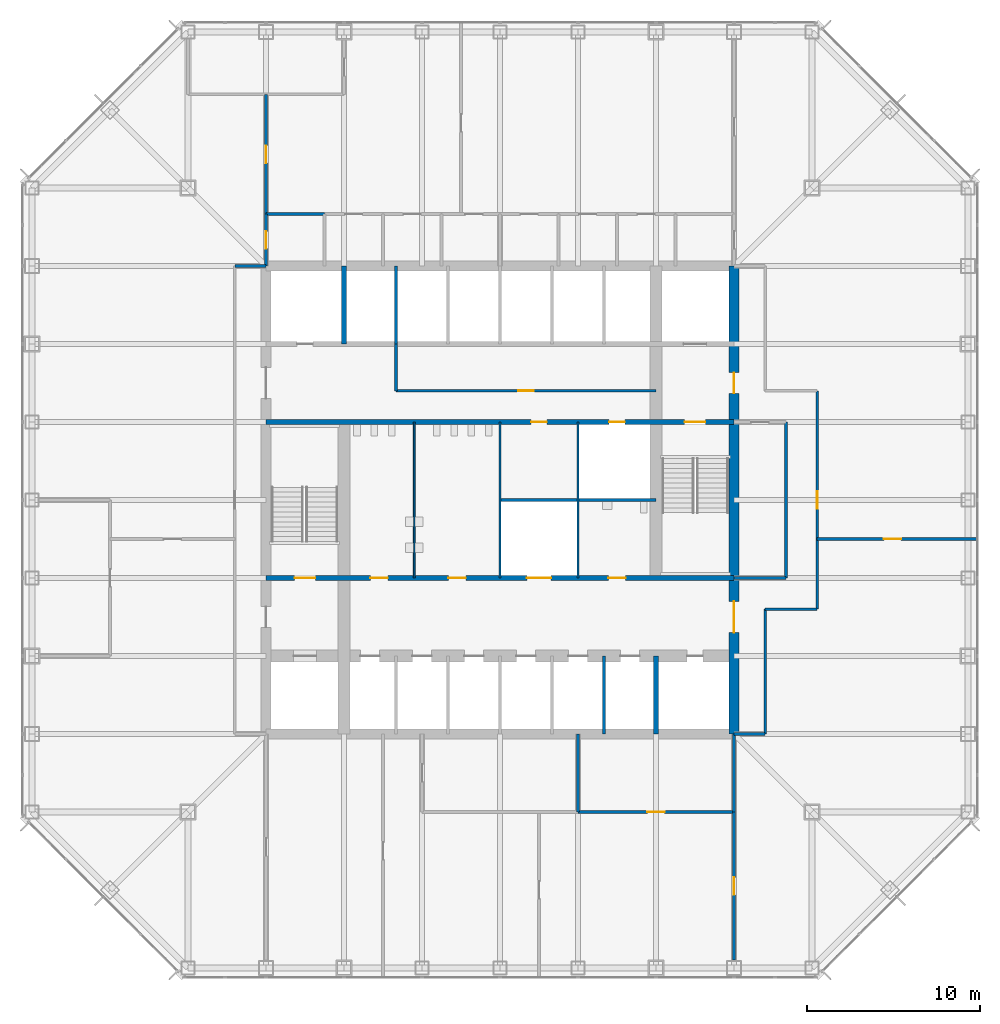
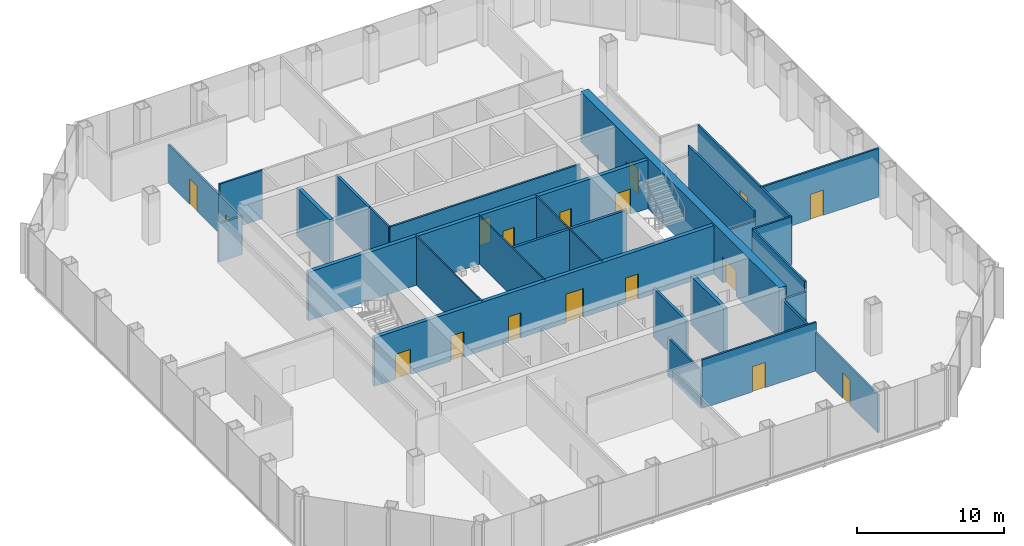
# One storey, part 9 of 13: 28 walls, 17 doors, 17 openings.
"""IFC4 building model written with IfcOpenShell, lengths in metres."""

from ifc_helpers import new_model, si_unit, direction, frame, frame_2d, origin, place, context, subcontext, project, spatial, rectangle, extrude, material, layer, layer_set, type_object, element, fill, save


model = new_model("IFC4")

# Units and contexts
model_context = context("Model", 3, precision=1e-05, world=origin(), true_north=direction((0.0, 1.0)))
body_context = subcontext(model_context, "Body", "Model", "MODEL_VIEW")
ifc_project = project(units=[si_unit("LENGTHUNIT", "METRE"), si_unit("AREAUNIT", "SQUARE_METRE"), si_unit("VOLUMEUNIT", "CUBIC_METRE"), si_unit("PLANEANGLEUNIT", "RADIAN"), si_unit("MASSUNIT", "GRAM", prefix="KILO")], contexts=[model_context])

# Site, building, storey
site_placement = place(None, origin())
site = spatial("IfcSite", under=ifc_project, at=site_placement, CompositionType="ELEMENT")
building_placement = place(site_placement, origin())
building = spatial("IfcBuilding", under=site, at=building_placement, Name="Corais Broadcast Tower", CompositionType="ELEMENT")
storey_placement = place(building_placement, frame((0.0, 0.0, 66.800048828125)))
storey = spatial("IfcBuildingStorey", under=building, at=storey_placement, Name="L14", CompositionType="ELEMENT", Elevation=66.800048828125)

# Walls
ifc_material_1 = material(Name="Concrete blockwork class A, grouted, two-hour", Category="masonry")
ifc_layer_1 = layer(ifc_material_1, 0.300048828125)
ifc_layer_set_1 = layer_set([ifc_layer_1], Name="Concrete blockwork class A, grouted, two-hour")
wall_type_1 = type_object("IfcWallType", Name="Core lobby wall 300", PredefinedType="SOLIDWALL", material=ifc_layer_set_1)
for number, where, z_axis, x_axis, name in (
    (1, (18.0, 36.0, 0.0), (0.0, 0.0, 1.0), (0.0, 1.0, 0.0), "CL1 core shaft wall X18B L14"),
    (2, (36.0, 13.5, 0.0), (0.0, 0.0, 1.0), (0.0, 1.0, 0.0), "CL1 core shaft wall X36A L14"),
):
    element("IfcWall", number, at=place(storey_placement, frame(where, z_axis=z_axis, x_axis=x_axis)), inside=storey, type_object=wall_type_1, Name=name, PredefinedType="SOLIDWALL", context=body_context, shape_type="SweptSolid", body=[
        extrude(rectangle(XDim=4.5, YDim=0.300048828125, at=frame_2d((2.25, 0.0))), origin(), (0.0, 0.0, 1.0), 4.0400390625),
    ])

# Wall, openings, doors
wall_1_placement = place(storey_placement, frame((13.5, 22.5, 0.0), z_axis=(0.0, 0.0, 1.0), x_axis=(1.0, 0.0, 0.0)))
wall_1 = element("IfcWall", 3, at=wall_1_placement, inside=storey, type_object=wall_type_1, Name="CL1 core lobby wall Y225 L14", PredefinedType="SOLIDWALL", context=body_context, shape_type="SweptSolid", body=[
    extrude(rectangle(XDim=27.0, YDim=0.300048828125, at=frame_2d((13.5, 0.0))), origin(), (0.0, 0.0, 1.0), 4.0400390625),
])
opening_1_placement = place(wall_1_placement, frame((1.64990234375, 0.0, 0.0)))
opening_1 = element("IfcOpeningElement", 4, at=opening_1_placement, cuts=wall_1, Name="Opening FD1", PredefinedType="OPENING", context=body_context, shape_type="SweptSolid", body=[
    extrude(rectangle(XDim=1.199951171875, YDim=2.10009765625, at=frame_2d((0.60009765625, 1.050048828125))), frame((0.0, 0.159912109375, 0.0), z_axis=(0.0, -1.0, 0.0), x_axis=(1.0, 0.0, 0.0)), (0.0, 0.0, 1.0), 0.320068359375),
])
opening_2_placement = place(wall_1_placement, frame((6.02490234375, 0.0, 0.0)))
opening_2 = element("IfcOpeningElement", 5, at=opening_2_placement, cuts=wall_1, Name="Opening WD1", PredefinedType="OPENING", context=body_context, shape_type="SweptSolid", body=[
    extrude(rectangle(XDim=1.0, YDim=2.10009765625, at=frame_2d((0.5, 1.050048828125))), frame((0.0, 0.159912109375, 0.0), z_axis=(0.0, -1.0, 0.0), x_axis=(1.0, 0.0, 0.0)), (0.0, 0.0, 1.0), 0.320068359375),
])
opening_3_placement = place(wall_1_placement, frame((10.52490234375, 0.0, 0.0)))
opening_3 = element("IfcOpeningElement", 6, at=opening_3_placement, cuts=wall_1, Name="Opening WD1", PredefinedType="OPENING", context=body_context, shape_type="SweptSolid", body=[
    extrude(rectangle(XDim=1.0, YDim=2.10009765625, at=frame_2d((0.5, 1.050048828125))), frame((0.0, 0.159912109375, 0.0), z_axis=(0.0, -1.0, 0.0), x_axis=(1.0, 0.0, 0.0)), (0.0, 0.0, 1.0), 0.320068359375),
])
opening_4_placement = place(wall_1_placement, frame((19.75, 0.0, 0.0)))
opening_4 = element("IfcOpeningElement", 7, at=opening_4_placement, cuts=wall_1, Name="Opening WD1", PredefinedType="OPENING", context=body_context, shape_type="SweptSolid", body=[
    extrude(rectangle(XDim=1.0, YDim=2.10009765625, at=frame_2d((0.5, 1.050048828125))), frame((0.0, 0.159912109375, 0.0), z_axis=(0.0, -1.0, 0.0), x_axis=(1.0, 0.0, 0.0)), (0.0, 0.0, 1.0), 0.320068359375),
])
opening_5_placement = place(wall_1_placement, frame((15.050048828125, 0.0, 0.0)))
opening_5 = element("IfcOpeningElement", 8, at=opening_5_placement, cuts=wall_1, Name="Opening LD3", PredefinedType="OPENING", context=body_context, shape_type="SweptSolid", body=[
    extrude(rectangle(XDim=1.39990234375, YDim=2.39990234375, at=frame_2d((0.699951171875, 1.199951171875))), frame((0.0, 0.159912109375, 0.0), z_axis=(0.0, -1.0, 0.0), x_axis=(1.0, 0.0, 0.0)), (0.0, 0.0, 1.0), 0.320068359375),
])
ifc_material_2 = material(Name="Steel fire door", Category="steel")
door_type_1 = type_object("IfcDoorType", Name="Fire door 1200x2100", OperationType="SINGLE_SWING_LEFT", PredefinedType="DOOR", material=ifc_material_2)
door_1_placement = place(opening_1_placement, origin())
door_1 = element("IfcDoor", 9, at=door_1_placement, inside=storey, type_object=door_type_1, Name="FD1 stair A door L14", OperationType="SINGLE_SWING_LEFT", OverallHeight=2.10009765625, OverallWidth=1.199951171875, PredefinedType="DOOR", context=body_context, shape_type="SweptSolid", body=[
    extrude(rectangle(XDim=1.199951171875, YDim=2.10009765625, at=frame_2d((0.60009765625, 1.050048828125))), frame((0.0, 0.02490234375, 0.0), z_axis=(0.0, -1.0, 0.0), x_axis=(1.0, 0.0, 0.0)), (0.0, 0.0, 1.0), 0.050048828125),
])
fill(opening_1, door_1)
ifc_material_3 = material(Name="Stainless steel lift door", Category="steel")
door_type_2 = type_object("IfcDoorType", Name="Service lift landing door 1400x2400", OperationType="SLIDING_TO_LEFT", PredefinedType="DOOR", material=ifc_material_3)
door_2_placement = place(opening_5_placement, origin())
door_2 = element("IfcDoor", 10, at=door_2_placement, inside=storey, type_object=door_type_2, Name="LD3 SL1 landing door L14", OperationType="SLIDING_TO_LEFT", OverallHeight=2.39990234375, OverallWidth=1.39990234375, PredefinedType="DOOR", context=body_context, shape_type="SweptSolid", body=[
    extrude(rectangle(XDim=1.39990234375, YDim=2.39990234375, at=frame_2d((0.699951171875, 1.199951171875))), frame((0.0, 0.02490234375, 0.0), z_axis=(0.0, -1.0, 0.0), x_axis=(1.0, 0.0, 0.0)), (0.0, 0.0, 1.0), 0.050048828125),
])
fill(opening_5, door_2)
ifc_material_4 = material(Name="Timber door", Category="wood")
door_type_3 = type_object("IfcDoorType", Name="Toilet door 1000x2100", OperationType="SINGLE_SWING_LEFT", PredefinedType="DOOR", material=ifc_material_4)
door_3_placement = place(opening_2_placement, origin())
door_3 = element("IfcDoor", 11, at=door_3_placement, inside=storey, type_object=door_type_3, Name="WD1 WC male door L14", OperationType="SINGLE_SWING_LEFT", OverallHeight=2.10009765625, OverallWidth=1.0, PredefinedType="DOOR", context=body_context, shape_type="SweptSolid", body=[
    extrude(rectangle(XDim=1.0, YDim=2.10009765625, at=frame_2d((0.5, 1.050048828125))), frame((0.0, 0.02490234375, 0.0), z_axis=(0.0, -1.0, 0.0), x_axis=(1.0, 0.0, 0.0)), (0.0, 0.0, 1.0), 0.050048828125),
])
fill(opening_2, door_3)
door_4_placement = place(opening_3_placement, origin())
door_4 = element("IfcDoor", 12, at=door_4_placement, inside=storey, type_object=door_type_3, Name="WD1 WC female door L14", OperationType="SINGLE_SWING_LEFT", OverallHeight=2.10009765625, OverallWidth=1.0, PredefinedType="DOOR", context=body_context, shape_type="SweptSolid", body=[
    extrude(rectangle(XDim=1.0, YDim=2.10009765625, at=frame_2d((0.5, 1.050048828125))), frame((0.0, 0.02490234375, 0.0), z_axis=(0.0, -1.0, 0.0), x_axis=(1.0, 0.0, 0.0)), (0.0, 0.0, 1.0), 0.050048828125),
])
fill(opening_3, door_4)
door_5_placement = place(opening_4_placement, origin())
door_5 = element("IfcDoor", 13, at=door_5_placement, inside=storey, type_object=door_type_3, Name="WD1 accessible WC door L14", OperationType="SINGLE_SWING_RIGHT", OverallHeight=2.10009765625, OverallWidth=1.0, PredefinedType="DOOR", context=body_context, shape_type="SweptSolid", body=[
    extrude(rectangle(XDim=1.0, YDim=2.10009765625, at=frame_2d((0.5, 1.050048828125))), frame((0.0, 0.02490234375, 0.0), z_axis=(0.0, -1.0, 0.0), x_axis=(1.0, 0.0, 0.0)), (0.0, 0.0, 1.0), 0.050048828125),
])
fill(opening_4, door_5)

wall_2_placement = place(storey_placement, frame((13.5, 31.5, 0.0), z_axis=(0.0, 0.0, 1.0), x_axis=(1.0, 0.0, 0.0)))
wall_2 = element("IfcWall", 14, at=wall_2_placement, inside=storey, type_object=wall_type_1, Name="CL1 core lobby wall Y315 L14", PredefinedType="SOLIDWALL", context=body_context, shape_type="SweptSolid", body=[
    extrude(rectangle(XDim=27.0, YDim=0.300048828125, at=frame_2d((13.5, 0.0))), origin(), (0.0, 0.0, 1.0), 4.0400390625),
])
opening_6_placement = place(wall_2_placement, frame((24.14990234375, 0.0, 0.0)))
opening_6 = element("IfcOpeningElement", 15, at=opening_6_placement, cuts=wall_2, Name="Opening FD1", PredefinedType="OPENING", context=body_context, shape_type="SweptSolid", body=[
    extrude(rectangle(XDim=1.199951171875, YDim=2.10009765625, at=frame_2d((0.60009765625, 1.050048828125))), frame((0.0, 0.159912109375, 0.0), z_axis=(0.0, -1.0, 0.0), x_axis=(1.0, 0.0, 0.0)), (0.0, 0.0, 1.0), 0.320068359375),
])
opening_7_placement = place(wall_2_placement, frame((15.300048828125, 0.0, 0.0)))
opening_7 = element("IfcOpeningElement", 16, at=opening_7_placement, cuts=wall_2, Name="Opening RD1", PredefinedType="OPENING", context=body_context, shape_type="SweptSolid", body=[
    extrude(rectangle(XDim=0.89990234375, YDim=2.10009765625, at=frame_2d((0.449951171875, 1.050048828125))), frame((0.0, 0.159912109375, 0.0), z_axis=(0.0, -1.0, 0.0), x_axis=(1.0, 0.0, 0.0)), (0.0, 0.0, 1.0), 0.320068359375),
])
opening_8_placement = place(wall_2_placement, frame((19.800048828125, 0.0, 0.0)))
opening_8 = element("IfcOpeningElement", 17, at=opening_8_placement, cuts=wall_2, Name="Opening RD1", PredefinedType="OPENING", context=body_context, shape_type="SweptSolid", body=[
    extrude(rectangle(XDim=0.89990234375, YDim=2.10009765625, at=frame_2d((0.449951171875, 1.050048828125))), frame((0.0, 0.159912109375, 0.0), z_axis=(0.0, -1.0, 0.0), x_axis=(1.0, 0.0, 0.0)), (0.0, 0.0, 1.0), 0.320068359375),
])
door_6_placement = place(opening_6_placement, origin())
door_6 = element("IfcDoor", 18, at=door_6_placement, inside=storey, type_object=door_type_1, Name="FD1 stair B door L14", OperationType="SINGLE_SWING_RIGHT", OverallHeight=2.10009765625, OverallWidth=1.199951171875, PredefinedType="DOOR", context=body_context, shape_type="SweptSolid", body=[
    extrude(rectangle(XDim=1.199951171875, YDim=2.10009765625, at=frame_2d((0.60009765625, 1.050048828125))), frame((0.0, 0.02490234375, 0.0), z_axis=(0.0, -1.0, 0.0), x_axis=(1.0, 0.0, 0.0)), (0.0, 0.0, 1.0), 0.050048828125),
])
fill(opening_6, door_6)
ifc_material_5 = material(Name="Steel fire door", Category="steel")
door_type_4 = type_object("IfcDoorType", Name="Riser door 900x2100", OperationType="SINGLE_SWING_LEFT", PredefinedType="DOOR", material=ifc_material_5)
door_7_placement = place(opening_7_placement, origin())
door_7 = element("IfcDoor", 19, at=door_7_placement, inside=storey, type_object=door_type_4, Name="RD1 vending room door L14", OperationType="SINGLE_SWING_RIGHT", OverallHeight=2.10009765625, OverallWidth=0.89990234375, PredefinedType="DOOR", context=body_context, shape_type="SweptSolid", body=[
    extrude(rectangle(XDim=0.89990234375, YDim=2.10009765625, at=frame_2d((0.449951171875, 1.050048828125))), frame((0.0, 0.02490234375, 0.0), z_axis=(0.0, -1.0, 0.0), x_axis=(1.0, 0.0, 0.0)), (0.0, 0.0, 1.0), 0.050048828125),
])
fill(opening_7, door_7)
door_8_placement = place(opening_8_placement, origin())
door_8 = element("IfcDoor", 20, at=door_8_placement, inside=storey, type_object=door_type_4, Name="RD1 riser door L14", OperationType="SINGLE_SWING_RIGHT", OverallHeight=2.10009765625, OverallWidth=0.89990234375, PredefinedType="DOOR", context=body_context, shape_type="SweptSolid", body=[
    extrude(rectangle(XDim=0.89990234375, YDim=2.10009765625, at=frame_2d((0.449951171875, 1.050048828125))), frame((0.0, 0.02490234375, 0.0), z_axis=(0.0, -1.0, 0.0), x_axis=(1.0, 0.0, 0.0)), (0.0, 0.0, 1.0), 0.050048828125),
])
fill(opening_8, door_8)

ifc_material_6 = material(Name="Concrete C50/60", Category="concrete")
ifc_layer_2 = layer(ifc_material_6, 0.60009765625)
ifc_layer_set_2 = layer_set([ifc_layer_2], Name="Concrete C50/60")
wall_type_2 = type_object("IfcWallType", Name="Core wall 600", PredefinedType="SHEAR", material=ifc_layer_set_2)
wall_3_placement = place(storey_placement, frame((40.5, 13.5, 0.0), z_axis=(0.0, 0.0, 1.0), x_axis=(0.0, 1.0, 0.0)))
wall_3 = element("IfcWall", 21, at=wall_3_placement, inside=storey, type_object=wall_type_2, Name="CR600 core wall E L14", PredefinedType="SHEAR", context=body_context, shape_type="SweptSolid", body=[
    extrude(rectangle(XDim=27.0, YDim=0.60009765625, at=frame_2d((13.5, 0.0))), origin(), (0.0, 0.0, 1.0), 4.199951171875),
])
opening_9_placement = place(wall_3_placement, frame((5.85009765625, 0.0, 0.0)))
opening_9 = element("IfcOpeningElement", 22, at=opening_9_placement, cuts=wall_3, Name="Opening FD2", PredefinedType="OPENING", context=body_context, shape_type="SweptSolid", body=[
    extrude(rectangle(XDim=1.800048828125, YDim=2.10009765625, at=frame_2d((0.89990234375, 1.050048828125))), frame((0.0, 0.31005859375, 0.0), z_axis=(0.0, -1.0, 0.0), x_axis=(1.0, 0.0, 0.0)), (0.0, 0.0, 1.0), 0.6201171875),
])
opening_10_placement = place(wall_3_placement, frame((19.64990234375, 0.0, 0.0)))
opening_10 = element("IfcOpeningElement", 23, at=opening_10_placement, cuts=wall_3, Name="Opening FD1", PredefinedType="OPENING", context=body_context, shape_type="SweptSolid", body=[
    extrude(rectangle(XDim=1.199951171875, YDim=2.10009765625, at=frame_2d((0.60009765625, 1.050048828125))), frame((0.0, 0.31005859375, 0.0), z_axis=(0.0, -1.0, 0.0), x_axis=(1.0, 0.0, 0.0)), (0.0, 0.0, 1.0), 0.6201171875),
])
door_9_placement = place(opening_10_placement, origin())
door_9 = element("IfcDoor", 24, at=door_9_placement, inside=storey, type_object=door_type_1, Name="FD1 fire lobby B door L14", OperationType="SINGLE_SWING_RIGHT", OverallHeight=2.10009765625, OverallWidth=1.199951171875, PredefinedType="DOOR", context=body_context, shape_type="SweptSolid", body=[
    extrude(rectangle(XDim=1.199951171875, YDim=2.10009765625, at=frame_2d((0.60009765625, 1.050048828125))), frame((0.0, 0.02490234375, 0.0), z_axis=(0.0, -1.0, 0.0), x_axis=(1.0, 0.0, 0.0)), (0.0, 0.0, 1.0), 0.050048828125),
])
fill(opening_10, door_9)
ifc_material_7 = material(Name="Steel fire door", Category="steel")
door_type_5 = type_object("IfcDoorType", Name="Fire door pair 1800x2100", OperationType="DOUBLE_DOOR_SINGLE_SWING", PredefinedType="DOOR", material=ifc_material_7)
door_10_placement = place(opening_9_placement, origin())
door_10 = element("IfcDoor", 25, at=door_10_placement, inside=storey, type_object=door_type_5, Name="FD2 lift lobby door L14", OperationType="SINGLE_SWING_LEFT", OverallHeight=2.10009765625, OverallWidth=1.800048828125, PredefinedType="DOOR", context=body_context, shape_type="SweptSolid", body=[
    extrude(rectangle(XDim=1.800048828125, YDim=2.10009765625, at=frame_2d((0.89990234375, 1.050048828125))), frame((0.0, 0.02490234375, 0.0), z_axis=(0.0, -1.0, 0.0), x_axis=(1.0, 0.0, 0.0)), (0.0, 0.0, 1.0), 0.050048828125),
])
fill(opening_9, door_10)

# Wall, opening, door
ifc_material_8 = material(Name="Two layers of fire-rated gypsum board each side on steel studs", Category="steel")
ifc_layer_3 = layer(ifc_material_8, 0.14990234375)
ifc_layer_set_3 = layer_set([ifc_layer_3], Name="Two layers of fire-rated gypsum board each side on steel studs")
wall_type_3 = type_object("IfcWallType", Name="Fire-rated partition 150 EI 60", PredefinedType="PARTITIONING", material=ifc_layer_set_3)
wall_4_placement = place(storey_placement, frame((21.0, 33.300048828125, 0.0), z_axis=(0.0, 0.0, 1.0), x_axis=(1.0, 0.0, 0.0)))
wall_4 = element("IfcWall", 26, at=wall_4_placement, inside=storey, type_object=wall_type_3, Name="IW7 partition L14", PredefinedType="PARTITIONING", context=body_context, shape_type="SweptSolid", body=[
    extrude(rectangle(XDim=15.0, YDim=0.14990234375, at=frame_2d((7.5, 0.0))), origin(), (0.0, 0.0, 1.0), 4.0400390625),
])
opening_11_placement = place(wall_4_placement, frame((7.050048828125, 0.0, 0.0)))
opening_11 = element("IfcOpeningElement", 27, at=opening_11_placement, cuts=wall_4, Name="Opening RD1", PredefinedType="OPENING", context=body_context, shape_type="SweptSolid", body=[
    extrude(rectangle(XDim=0.89990234375, YDim=2.10009765625, at=frame_2d((0.449951171875, 1.050048828125))), frame((0.0, 0.0849609375, 0.0), z_axis=(0.0, -1.0, 0.0), x_axis=(1.0, 0.0, 0.0)), (0.0, 0.0, 1.0), 0.169921875),
])
door_11_placement = place(opening_11_placement, origin())
door_11 = element("IfcDoor", 28, at=door_11_placement, inside=storey, type_object=door_type_4, Name="RD1 av equipment room door L14", OperationType="SINGLE_SWING_LEFT", OverallHeight=2.10009765625, OverallWidth=0.89990234375, PredefinedType="DOOR", context=body_context, shape_type="SweptSolid", body=[
    extrude(rectangle(XDim=0.89990234375, YDim=2.10009765625, at=frame_2d((0.449951171875, 1.050048828125))), frame((0.0, 0.02490234375, 0.0), z_axis=(0.0, -1.0, 0.0), x_axis=(1.0, 0.0, 0.0)), (0.0, 0.0, 1.0), 0.050048828125),
])
fill(opening_11, door_11)

# Wall
wall_5_placement = place(storey_placement, frame((21.0, 33.300048828125, 0.0), z_axis=(0.0, 0.0, 1.0), x_axis=(0.0, 1.0, 0.0)))
element("IfcWall", 29, at=wall_5_placement, inside=storey, type_object=wall_type_3, Name="IW7 partition L14", PredefinedType="PARTITIONING", context=body_context, shape_type="SweptSolid", body=[
    extrude(rectangle(XDim=2.699951171875, YDim=0.14990234375, at=frame_2d((1.35009765625, 0.0))), origin(), (0.0, 0.0, 1.0), 4.0400390625),
])

# Wall, opening, door
ifc_material_9 = material(Name="Gypsum board on steel studs", Category="steel")
ifc_layer_4 = layer(ifc_material_9, 0.14990234375)
ifc_layer_set_4 = layer_set([ifc_layer_4], Name="Gypsum board on steel studs")
wall_type_4 = type_object("IfcWallType", Name="Partition 150", PredefinedType="PARTITIONING", material=ifc_layer_set_4)
wall_6_placement = place(storey_placement, frame((45.300048828125, 20.699951171875, 0.0), z_axis=(0.0, 0.0, 1.0), x_axis=(0.0, 1.0, 0.0)))
wall_6 = element("IfcWall", 30, at=wall_6_placement, inside=storey, type_object=wall_type_4, Name="IW3 corridor wall L14", PredefinedType="PARTITIONING", context=body_context, shape_type="SweptSolid", body=[
    extrude(rectangle(XDim=12.60009765625, YDim=0.14990234375, at=frame_2d((6.300048828125, 0.0))), origin(), (0.0, 0.0, 1.0), 4.0400390625),
])
opening_12_placement = place(wall_6_placement, frame((5.800048828125, 0.0, 0.0)))
opening_12 = element("IfcOpeningElement", 31, at=opening_12_placement, cuts=wall_6, Name="Opening D1", PredefinedType="OPENING", context=body_context, shape_type="SweptSolid", body=[
    extrude(rectangle(XDim=1.0, YDim=2.10009765625, at=frame_2d((0.5, 1.050048828125))), frame((0.0, 0.0849609375, 0.0), z_axis=(0.0, -1.0, 0.0), x_axis=(1.0, 0.0, 0.0)), (0.0, 0.0, 1.0), 0.169921875),
])
ifc_material_10 = material(Name="Timber door", Category="wood")
door_type_6 = type_object("IfcDoorType", Name="Single door 1000x2100", OperationType="SINGLE_SWING_LEFT", PredefinedType="DOOR", material=ifc_material_10)
door_12_placement = place(opening_12_placement, origin())
door_12 = element("IfcDoor", 32, at=door_12_placement, inside=storey, type_object=door_type_6, Name="D1 workplace door L14", OperationType="SINGLE_SWING_LEFT", OverallHeight=2.10009765625, OverallWidth=1.0, PredefinedType="DOOR", context=body_context, shape_type="SweptSolid", body=[
    extrude(rectangle(XDim=1.0, YDim=2.10009765625, at=frame_2d((0.5, 1.050048828125))), frame((0.0, 0.02490234375, 0.0), z_axis=(0.0, -1.0, 0.0), x_axis=(1.0, 0.0, 0.0)), (0.0, 0.0, 1.0), 0.050048828125),
])
fill(opening_12, door_12)

# Walls
wall_7_placement = place(storey_placement, frame((42.300048828125, 13.5, 0.0), z_axis=(0.0, 0.0, 1.0), x_axis=(0.0, 1.0, 0.0)))
element("IfcWall", 33, at=wall_7_placement, inside=storey, type_object=wall_type_4, Name="IW3 corridor wall L14", PredefinedType="PARTITIONING", context=body_context, shape_type="SweptSolid", body=[
    extrude(rectangle(XDim=7.199951171875, YDim=0.14990234375, at=frame_2d((3.60009765625, 0.0))), origin(), (0.0, 0.0, 1.0), 4.0400390625),
])
wall_8_placement = place(storey_placement, frame((42.300048828125, 20.699951171875, 0.0), z_axis=(0.0, 0.0, 1.0), x_axis=(1.0, 0.0, 0.0)))
element("IfcWall", 34, at=wall_8_placement, inside=storey, type_object=wall_type_4, Name="IW3 corridor wall L14", PredefinedType="PARTITIONING", context=body_context, shape_type="SweptSolid", body=[
    extrude(rectangle(XDim=3.0, YDim=0.14990234375, at=frame_2d((1.5, 0.0))), origin(), (0.0, 0.0, 1.0), 4.0400390625),
])
for number, where, z_axis, x_axis, name in (
    (35, (13.5, 40.5, 0.0), (0.0, 0.0, 1.0), (-1.0, 0.0, 0.0), "IW3 corridor wall L14"),
    (36, (40.5, 13.5, 0.0), (0.0, 0.0, 1.0), (1.0, 0.0, 0.0), "IW3 corridor wall L14"),
):
    element("IfcWall", number, at=place(storey_placement, frame(where, z_axis=z_axis, x_axis=x_axis)), inside=storey, type_object=wall_type_4, Name=name, PredefinedType="PARTITIONING", context=body_context, shape_type="SweptSolid", body=[
        extrude(rectangle(XDim=1.800048828125, YDim=0.14990234375, at=frame_2d((0.89990234375, 0.0))), origin(), (0.0, 0.0, 1.0), 3.18896484375),
    ])
wall_9_placement = place(storey_placement, frame((16.875, 43.5, 0.0), z_axis=(0.0, 0.0, 1.0), x_axis=(-1.0, 0.0, 0.0)))
element("IfcWall", 37, at=wall_9_placement, inside=storey, type_object=wall_type_4, Name="IW3 partition L14", PredefinedType="PARTITIONING", context=body_context, shape_type="SweptSolid", body=[
    extrude(rectangle(XDim=3.375, YDim=0.14990234375, at=frame_2d((1.6875, 0.0))), origin(), (0.0, 0.0, 1.0), 4.0400390625),
])

# Wall, opening, door
wall_10_placement = place(storey_placement, frame((13.5, 43.5, 0.0), z_axis=(0.0, 0.0, 1.0), x_axis=(0.0, -1.0, 0.0)))
wall_10 = element("IfcWall", 38, at=wall_10_placement, inside=storey, type_object=wall_type_4, Name="IW3 partition L14", PredefinedType="PARTITIONING", context=body_context, shape_type="SweptSolid", body=[
    extrude(rectangle(XDim=3.0, YDim=0.14990234375, at=frame_2d((1.5, 0.0))), origin(), (0.0, 0.0, 1.0), 3.18896484375),
])
opening_13_placement = place(wall_10_placement, frame((1.0, 0.0, 0.0)))
opening_13 = element("IfcOpeningElement", 39, at=opening_13_placement, cuts=wall_10, Name="Opening D1", PredefinedType="OPENING", context=body_context, shape_type="SweptSolid", body=[
    extrude(rectangle(XDim=1.0, YDim=2.10009765625, at=frame_2d((0.5, 1.050048828125))), frame((0.0, 0.0849609375, 0.0), z_axis=(0.0, -1.0, 0.0), x_axis=(1.0, 0.0, 0.0)), (0.0, 0.0, 1.0), 0.169921875),
])
door_13_placement = place(opening_13_placement, origin())
door_13 = element("IfcDoor", 40, at=door_13_placement, inside=storey, type_object=door_type_6, Name="D1 Podcast booth door", OperationType="SINGLE_SWING_LEFT", OverallHeight=2.10009765625, OverallWidth=1.0, PredefinedType="DOOR", context=body_context, shape_type="SweptSolid", body=[
    extrude(rectangle(XDim=1.0, YDim=2.10009765625, at=frame_2d((0.5, 1.050048828125))), frame((0.0, 0.02490234375, 0.0), z_axis=(0.0, -1.0, 0.0), x_axis=(1.0, 0.0, 0.0)), (0.0, 0.0, 1.0), 0.050048828125),
])
fill(opening_13, door_13)

# Wall
wall_11_placement = place(storey_placement, frame((31.5, 9.0, 0.0), z_axis=(0.0, 0.0, 1.0), x_axis=(0.0, 1.0, 0.0)))
element("IfcWall", 41, at=wall_11_placement, inside=storey, type_object=wall_type_4, Name="IW3 partition L14", PredefinedType="PARTITIONING", context=body_context, shape_type="SweptSolid", body=[
    extrude(rectangle(XDim=4.5, YDim=0.14990234375, at=frame_2d((2.25, 0.0))), origin(), (0.0, 0.0, 1.0), 3.18896484375),
])

# Wall, opening, door
wall_12_placement = place(storey_placement, frame((31.5, 9.0, 0.0), z_axis=(0.0, 0.0, 1.0), x_axis=(1.0, 0.0, 0.0)))
wall_12 = element("IfcWall", 42, at=wall_12_placement, inside=storey, type_object=wall_type_4, Name="IW3 partition L14", PredefinedType="PARTITIONING", context=body_context, shape_type="SweptSolid", body=[
    extrude(rectangle(XDim=9.0, YDim=0.14990234375, at=frame_2d((4.5, 0.0))), origin(), (0.0, 0.0, 1.0), 4.0400390625),
])
opening_14_placement = place(wall_12_placement, frame((4.0, 0.0, 0.0)))
opening_14 = element("IfcOpeningElement", 43, at=opening_14_placement, cuts=wall_12, Name="Opening D1", PredefinedType="OPENING", context=body_context, shape_type="SweptSolid", body=[
    extrude(rectangle(XDim=1.0, YDim=2.10009765625, at=frame_2d((0.5, 1.050048828125))), frame((0.0, 0.0849609375, 0.0), z_axis=(0.0, -1.0, 0.0), x_axis=(1.0, 0.0, 0.0)), (0.0, 0.0, 1.0), 0.169921875),
])
door_14_placement = place(opening_14_placement, origin())
door_14 = element("IfcDoor", 44, at=door_14_placement, inside=storey, type_object=door_type_6, Name="D1 Radio producer office door", OperationType="SINGLE_SWING_LEFT", OverallHeight=2.10009765625, OverallWidth=1.0, PredefinedType="DOOR", context=body_context, shape_type="SweptSolid", body=[
    extrude(rectangle(XDim=1.0, YDim=2.10009765625, at=frame_2d((0.5, 1.050048828125))), frame((0.0, 0.02490234375, 0.0), z_axis=(0.0, -1.0, 0.0), x_axis=(1.0, 0.0, 0.0)), (0.0, 0.0, 1.0), 0.050048828125),
])
fill(opening_14, door_14)

# Walls
wall_13_placement = place(storey_placement, frame((40.5, 9.0, 0.0), z_axis=(0.0, 0.0, 1.0), x_axis=(0.0, 1.0, 0.0)))
element("IfcWall", 45, at=wall_13_placement, inside=storey, type_object=wall_type_4, Name="IW3 partition L14", PredefinedType="PARTITIONING", context=body_context, shape_type="SweptSolid", body=[
    extrude(rectangle(XDim=4.5, YDim=0.14990234375, at=frame_2d((2.25, 0.0))), origin(), (0.0, 0.0, 1.0), 3.18896484375),
])
wall_14_placement = place(storey_placement, frame((40.5, 22.5, 0.0), z_axis=(0.0, 0.0, 1.0), x_axis=(1.0, 0.0, 0.0)))
element("IfcWall", 46, at=wall_14_placement, inside=storey, type_object=wall_type_4, Name="IW3 partition L14", PredefinedType="PARTITIONING", context=body_context, shape_type="SweptSolid", body=[
    extrude(rectangle(XDim=3.0, YDim=0.14990234375, at=frame_2d((1.5, 0.0))), origin(), (0.0, 0.0, 1.0), 3.18896484375),
])
wall_15_placement = place(storey_placement, frame((43.5, 22.5, 0.0), z_axis=(0.0, 0.0, 1.0), x_axis=(0.0, 1.0, 0.0)))
element("IfcWall", 47, at=wall_15_placement, inside=storey, type_object=wall_type_4, Name="IW3 partition L14", PredefinedType="PARTITIONING", context=body_context, shape_type="SweptSolid", body=[
    extrude(rectangle(XDim=9.0, YDim=0.14990234375, at=frame_2d((4.5, 0.0))), origin(), (0.0, 0.0, 1.0), 4.0400390625),
])

# Wall, opening, door
wall_16_placement = place(storey_placement, frame((54.52001953125, 24.75, 0.0), z_axis=(0.0, 0.0, 1.0), x_axis=(-1.0, 0.0, 0.0)))
wall_16 = element("IfcWall", 48, at=wall_16_placement, inside=storey, type_object=wall_type_4, Name="IW3 partition L14", PredefinedType="PARTITIONING", context=body_context, shape_type="SweptSolid", body=[
    extrude(rectangle(XDim=9.219970703125, YDim=0.14990234375, at=frame_2d((4.60986328125, 0.0))), origin(), (0.0, 0.0, 1.0), 4.0400390625),
])
opening_15_placement = place(wall_16_placement, frame((4.3701171875, 0.0, 0.0)))
opening_15 = element("IfcOpeningElement", 49, at=opening_15_placement, cuts=wall_16, Name="Opening D1", PredefinedType="OPENING", context=body_context, shape_type="SweptSolid", body=[
    extrude(rectangle(XDim=1.0, YDim=2.10009765625, at=frame_2d((0.5, 1.050048828125))), frame((0.0, 0.0849609375, 0.0), z_axis=(0.0, -1.0, 0.0), x_axis=(1.0, 0.0, 0.0)), (0.0, 0.0, 1.0), 0.169921875),
])
door_15_placement = place(opening_15_placement, origin())
door_15 = element("IfcDoor", 50, at=door_15_placement, inside=storey, type_object=door_type_6, Name="D1 team room door L14", OperationType="SINGLE_SWING_RIGHT", OverallHeight=2.10009765625, OverallWidth=1.0, PredefinedType="DOOR", context=body_context, shape_type="SweptSolid", body=[
    extrude(rectangle(XDim=1.0, YDim=2.10009765625, at=frame_2d((0.5, 1.050048828125))), frame((0.0, 0.02490234375, 0.0), z_axis=(0.0, -1.0, 0.0), x_axis=(1.0, 0.0, 0.0)), (0.0, 0.0, 1.0), 0.050048828125),
])
fill(opening_15, door_15)

wall_17_placement = place(storey_placement, frame((40.5, 9.0, 0.0), z_axis=(0.0, 0.0, 1.0), x_axis=(0.0, -1.0, 0.0)))
wall_17 = element("IfcWall", 51, at=wall_17_placement, inside=storey, type_object=wall_type_4, Name="IW3 partition L14", PredefinedType="PARTITIONING", context=body_context, shape_type="SweptSolid", body=[
    extrude(rectangle(XDim=8.554931640625, YDim=0.14990234375, at=frame_2d((4.27734375, 0.0))), origin(), (0.0, 0.0, 1.0), 3.18896484375),
])
opening_16_placement = place(wall_17_placement, frame((3.777587890625, 0.0, 0.0)))
opening_16 = element("IfcOpeningElement", 52, at=opening_16_placement, cuts=wall_17, Name="Opening D1", PredefinedType="OPENING", context=body_context, shape_type="SweptSolid", body=[
    extrude(rectangle(XDim=1.0, YDim=2.10009765625, at=frame_2d((0.5, 1.050048828125))), frame((0.0, 0.0849609375, 0.0), z_axis=(0.0, -1.0, 0.0), x_axis=(1.0, 0.0, 0.0)), (0.0, 0.0, 1.0), 0.169921875),
])
door_16_placement = place(opening_16_placement, origin())
door_16 = element("IfcDoor", 53, at=door_16_placement, inside=storey, type_object=door_type_6, Name="D1 team room door L14", OperationType="SINGLE_SWING_LEFT", OverallHeight=2.10009765625, OverallWidth=1.0, PredefinedType="DOOR", context=body_context, shape_type="SweptSolid", body=[
    extrude(rectangle(XDim=1.0, YDim=2.10009765625, at=frame_2d((0.5, 1.050048828125))), frame((0.0, 0.02490234375, 0.0), z_axis=(0.0, -1.0, 0.0), x_axis=(1.0, 0.0, 0.0)), (0.0, 0.0, 1.0), 0.050048828125),
])
fill(opening_16, door_16)

wall_18_placement = place(storey_placement, frame((13.5, 50.39990234375, 0.0), z_axis=(0.0, 0.0, 1.0), x_axis=(0.0, -1.0, 0.0)))
wall_18 = element("IfcWall", 54, at=wall_18_placement, inside=storey, type_object=wall_type_4, Name="IW3 partition L14", PredefinedType="PARTITIONING", context=body_context, shape_type="SweptSolid", body=[
    extrude(rectangle(XDim=6.919921875, YDim=0.14990234375, at=frame_2d((3.4599609375, 0.0))), origin(), (0.0, 0.0, 1.0), 3.18896484375),
])
opening_17_placement = place(wall_18_placement, frame((2.9599609375, 0.0, 0.0)))
opening_17 = element("IfcOpeningElement", 55, at=opening_17_placement, cuts=wall_18, Name="Opening D1", PredefinedType="OPENING", context=body_context, shape_type="SweptSolid", body=[
    extrude(rectangle(XDim=1.0, YDim=2.10009765625, at=frame_2d((0.5, 1.050048828125))), frame((0.0, 0.0849609375, 0.0), z_axis=(0.0, -1.0, 0.0), x_axis=(1.0, 0.0, 0.0)), (0.0, 0.0, 1.0), 0.169921875),
])
door_17_placement = place(opening_17_placement, origin())
door_17 = element("IfcDoor", 56, at=door_17_placement, inside=storey, type_object=door_type_6, Name="D1 team room door L14", OperationType="SINGLE_SWING_LEFT", OverallHeight=2.10009765625, OverallWidth=1.0, PredefinedType="DOOR", context=body_context, shape_type="SweptSolid", body=[
    extrude(rectangle(XDim=1.0, YDim=2.10009765625, at=frame_2d((0.5, 1.050048828125))), frame((0.0, 0.02490234375, 0.0), z_axis=(0.0, -1.0, 0.0), x_axis=(1.0, 0.0, 0.0)), (0.0, 0.0, 1.0), 0.050048828125),
])
fill(opening_17, door_17)

# Walls
ifc_material_11 = material(Name="Concrete blockwork class A, grouted, two-hour", Category="masonry")
ifc_layer_5 = layer(ifc_material_11, 0.199951171875)
ifc_layer_set_5 = layer_set([ifc_layer_5], Name="Concrete blockwork class A, grouted, two-hour")
wall_type_5 = type_object("IfcWallType", Name="Shaft wall 200", PredefinedType="PARTITIONING", material=ifc_layer_set_5)
for number, where, z_axis, x_axis, name in (
    (57, (21.0, 36.0, 0.0), (0.0, 0.0, 1.0), (0.0, 1.0, 0.0), "IW1 shaft wall L14"),
    (58, (33.0, 13.5, 0.0), (0.0, 0.0, 1.0), (0.0, 1.0, 0.0), "IW1 shaft wall L14"),
):
    element("IfcWall", number, at=place(storey_placement, frame(where, z_axis=z_axis, x_axis=x_axis)), inside=storey, type_object=wall_type_5, Name=name, PredefinedType="PARTITIONING", context=body_context, shape_type="SweptSolid", body=[
        extrude(rectangle(XDim=4.5, YDim=0.199951171875, at=frame_2d((2.25, 0.0))), origin(), (0.0, 0.0, 1.0), 4.0400390625),
    ])
wall_19_placement = place(storey_placement, frame((27.0, 27.0, 0.0), z_axis=(0.0, 0.0, 1.0), x_axis=(1.0, 0.0, 0.0)))
element("IfcWall", 59, at=wall_19_placement, inside=storey, type_object=wall_type_5, Name="IW1 shaft wall L14", PredefinedType="PARTITIONING", context=body_context, shape_type="SweptSolid", body=[
    extrude(rectangle(XDim=9.0, YDim=0.199951171875, at=frame_2d((4.5, 0.0))), origin(), (0.0, 0.0, 1.0), 4.0400390625),
])
ifc_material_12 = material(Name="Dense concrete blockwork class A, tiled both faces", Category="masonry")
ifc_layer_6 = layer(ifc_material_12, 0.10009765625)
ifc_layer_set_6 = layer_set([ifc_layer_6], Name="Dense concrete blockwork class A, tiled both faces")
wall_type_6 = type_object("IfcWallType", Name="Toilet wall 100", PredefinedType="PLUMBINGWALL", material=ifc_layer_set_6)
for number, where, z_axis, x_axis, name in (
    (60, (22.050048828125, 22.5, 0.0), (0.0, 0.0, 1.0), (0.0, 1.0, 0.0), "IW2 toilet wall L14"),
    (61, (27.0, 22.5, 0.0), (0.0, 0.0, 1.0), (0.0, 1.0, 0.0), "IW2 toilet wall L14"),
    (62, (31.5, 22.5, 0.0), (0.0, 0.0, 1.0), (0.0, 1.0, 0.0), "IW2 toilet wall L14"),
):
    element("IfcWall", number, at=place(storey_placement, frame(where, z_axis=z_axis, x_axis=x_axis)), inside=storey, type_object=wall_type_6, Name=name, PredefinedType="PLUMBINGWALL", context=body_context, shape_type="SweptSolid", body=[
        extrude(rectangle(XDim=9.0, YDim=0.10009765625, at=frame_2d((4.5, 0.0))), origin(), (0.0, 0.0, 1.0), 4.0400390625),
    ])

save(model, "model.ifc")
